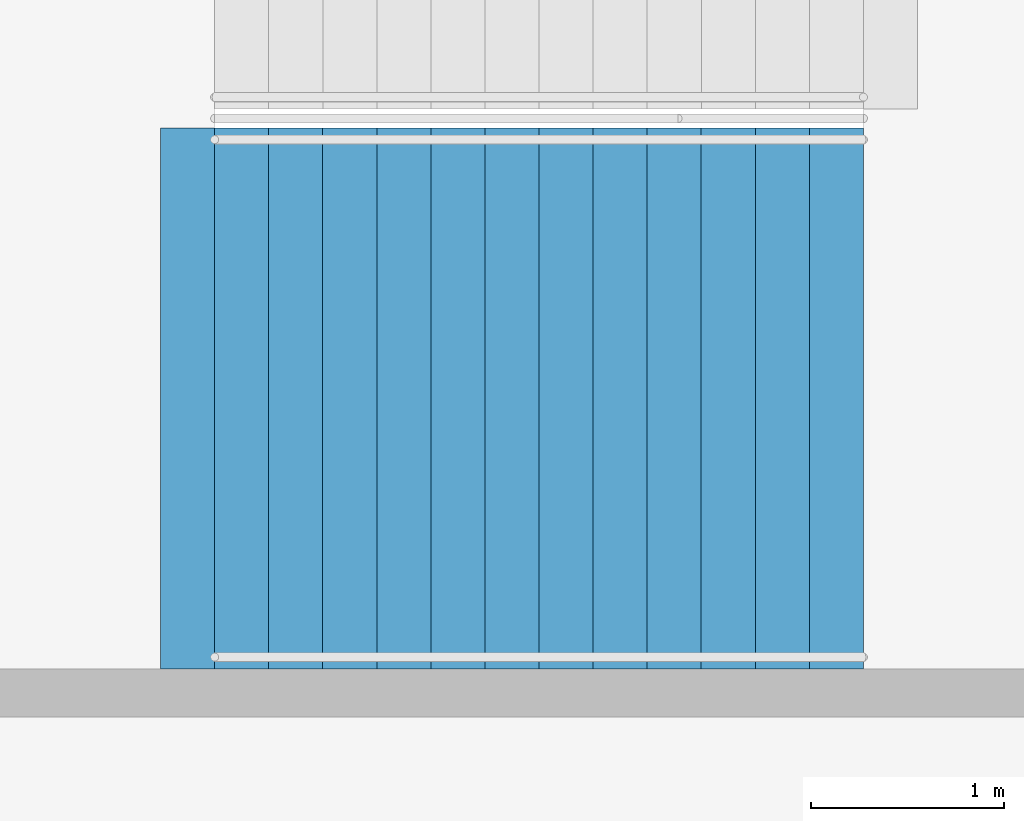
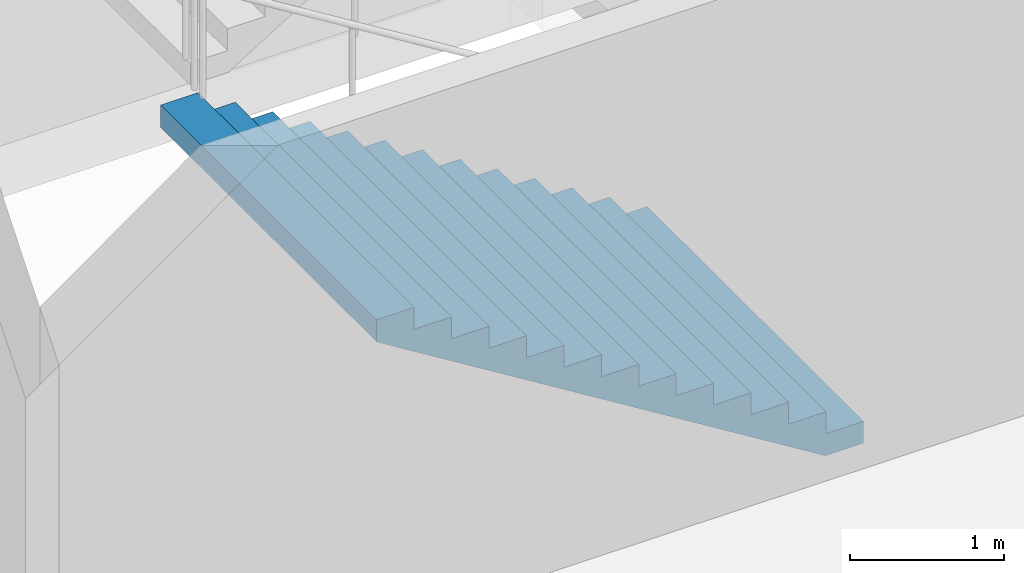
# One storey, part 55 of 175: 1 stair flight, 1 element without a shape of its own.
"""IFC4 building model written with IfcOpenShell, lengths in metres."""

from ifc_helpers import new_model, si_unit, direction, frame, origin, place, context, subcontext, project, spatial, faceted_brep, material, type_object, element, aggregate, save


model = new_model("IFC4")

# Units and contexts
model_context = context("Model", 3, precision=1e-05, world=origin(), true_north=direction((0.0, 1.0)))
body_context = subcontext(model_context, "Body", "Model", "MODEL_VIEW")
ifc_project = project(units=[si_unit("LENGTHUNIT", "METRE"), si_unit("AREAUNIT", "SQUARE_METRE"), si_unit("VOLUMEUNIT", "CUBIC_METRE"), si_unit("PLANEANGLEUNIT", "RADIAN"), si_unit("MASSUNIT", "GRAM", prefix="KILO")], contexts=[model_context])

# Site, building, storey
site_placement = place(None, origin())
site = spatial("IfcSite", under=ifc_project, at=site_placement, CompositionType="ELEMENT")
building_placement = place(site_placement, origin())
building = spatial("IfcBuilding", under=site, at=building_placement, Name="Ogive Plaza Stadium", CompositionType="ELEMENT")
storey_placement = place(building_placement, origin())
storey = spatial("IfcBuildingStorey", under=building, at=storey_placement, Name="L00", CompositionType="ELEMENT", Elevation=0.0)

# Stair, stair flight
ifc_material_1 = material(Name="Concrete C40/50", Category="concrete")
stair_type = type_object("IfcStairType", Name="Exit stair", PredefinedType="STRAIGHT_RUN_STAIR", material=ifc_material_1)
stair_placement = place(storey_placement, origin())
stair = element("IfcStair", 1, at=stair_placement, inside=storey, type_object=stair_type, Name="Exit stair ST22B L00 to L01", PredefinedType="STRAIGHT_RUN_STAIR")
ifc_material_2 = material(Name="Concrete C40/50", Category="concrete")
stair_flight_type = type_object("IfcStairFlightType", Name="Exit stair flight", PredefinedType="STRAIGHT", material=ifc_material_2)
stair_flight_placement = place(storey_placement, frame((-76.35009765625, -41.925048828125, 0.0), z_axis=(0.0, 0.0, 1.0), x_axis=(-1.0, 0.0, 0.0)))
stair_flight = element("IfcStairFlight", 2, at=stair_flight_placement, type_object=stair_flight_type, Name="ST22B flight 1", NumberOfRisers=13, NumberOfTreads=12, PredefinedType="STRAIGHT", RiserHeight=0.173076923, TreadLength=0.28, context=body_context, shape_type="Brep", body=[
    faceted_brep([(0.28515625, -1.39990234375, 0.0), (3.639892578125, -1.39990234375, 2.07373046875), (3.639892578125, -1.39990234375, 2.25), (3.360107421875, -1.39990234375, 2.25), (3.360107421875, -1.39990234375, 2.076904296875), (3.080078125, -1.39990234375, 2.076904296875), (3.080078125, -1.39990234375, 1.90380859375), (2.800048828125, -1.39990234375, 1.90380859375), (2.800048828125, -1.39990234375, 1.730712890625), (2.52001953125, -1.39990234375, 1.730712890625), (2.52001953125, -1.39990234375, 1.5576171875), (2.239990234375, -1.39990234375, 1.5576171875), (2.239990234375, -1.39990234375, 1.384521484375), (1.9599609375, -1.39990234375, 1.384521484375), (1.9599609375, -1.39990234375, 1.21142578125), (1.679931640625, -1.39990234375, 1.21142578125), (1.679931640625, -1.39990234375, 1.03857421875), (1.39990234375, -1.39990234375, 1.03857421875), (1.39990234375, -1.39990234375, 0.865478515625), (1.1201171875, -1.39990234375, 0.865478515625), (1.1201171875, -1.39990234375, 0.6923828125), (0.840087890625, -1.39990234375, 0.6923828125), (0.840087890625, -1.39990234375, 0.519287109375), (0.56005859375, -1.39990234375, 0.519287109375), (0.56005859375, -1.39990234375, 0.34619140625), (0.280029296875, -1.39990234375, 0.34619140625), (0.280029296875, -1.39990234375, 0.173095703125), (0.0, -1.39990234375, 0.173095703125), (0.0, -1.39990234375, 0.0), (0.0, 1.39990234375, 0.0), (0.0, 1.39990234375, 0.173095703125), (0.280029296875, 1.39990234375, 0.173095703125), (0.280029296875, 1.39990234375, 0.34619140625), (0.56005859375, 1.39990234375, 0.34619140625), (0.56005859375, 1.39990234375, 0.519287109375), (0.840087890625, 1.39990234375, 0.519287109375), (0.840087890625, 1.39990234375, 0.6923828125), (1.1201171875, 1.39990234375, 0.6923828125), (1.1201171875, 1.39990234375, 0.865478515625), (1.39990234375, 1.39990234375, 0.865478515625), (1.39990234375, 1.39990234375, 1.03857421875), (1.679931640625, 1.39990234375, 1.03857421875), (1.679931640625, 1.39990234375, 1.21142578125), (1.9599609375, 1.39990234375, 1.21142578125), (1.9599609375, 1.39990234375, 1.384521484375), (2.239990234375, 1.39990234375, 1.384521484375), (2.239990234375, 1.39990234375, 1.5576171875), (2.52001953125, 1.39990234375, 1.5576171875), (2.52001953125, 1.39990234375, 1.730712890625), (2.800048828125, 1.39990234375, 1.730712890625), (2.800048828125, 1.39990234375, 1.90380859375), (3.080078125, 1.39990234375, 1.90380859375), (3.080078125, 1.39990234375, 2.076904296875), (3.360107421875, 1.39990234375, 2.076904296875), (3.360107421875, 1.39990234375, 2.25), (3.639892578125, 1.39990234375, 2.25), (3.639892578125, 1.39990234375, 2.07373046875), (0.28515625, 1.39990234375, 0.0), (0.28515625, -1.0888671875, 0.0), (3.639892578125, -1.0888671875, 2.07373046875), (0.28515625, -0.77783203125, 0.0), (3.639892578125, -0.77783203125, 2.07373046875), (0.28515625, -0.466796875, 0.0), (3.639892578125, -0.466796875, 2.07373046875), (0.28515625, -0.155517578125, 0.0), (3.639892578125, -0.155517578125, 2.07373046875), (0.28515625, 0.155517578125, 0.0), (3.639892578125, 0.155517578125, 2.07373046875), (0.28515625, 0.466796875, 0.0), (3.639892578125, 0.466796875, 2.07373046875), (0.28515625, 0.77783203125, 0.0), (3.639892578125, 0.77783203125, 2.07373046875), (0.28515625, 1.0888671875, 0.0), (3.639892578125, 1.0888671875, 2.07373046875), (3.639892578125, -1.0888671875, 2.25), (3.639892578125, -0.77783203125, 2.25), (3.639892578125, -0.466796875, 2.25), (3.639892578125, -0.155517578125, 2.25), (3.639892578125, 0.155517578125, 2.25), (3.639892578125, 0.466796875, 2.25), (3.639892578125, 0.77783203125, 2.25), (3.639892578125, 1.0888671875, 2.25), (3.360107421875, -1.0888671875, 2.25), (3.360107421875, -0.77783203125, 2.25), (3.360107421875, -0.466796875, 2.25), (3.360107421875, -0.155517578125, 2.25), (3.360107421875, 0.155517578125, 2.25), (3.360107421875, 0.466796875, 2.25), (3.360107421875, 0.77783203125, 2.25), (3.360107421875, 1.0888671875, 2.25), (3.360107421875, -1.0888671875, 2.076904296875), (3.360107421875, -0.77783203125, 2.076904296875), (3.360107421875, -0.466796875, 2.076904296875), (3.360107421875, -0.155517578125, 2.076904296875), (3.360107421875, 0.155517578125, 2.076904296875), (3.360107421875, 0.466796875, 2.076904296875), (3.360107421875, 0.77783203125, 2.076904296875), (3.360107421875, 1.0888671875, 2.076904296875), (3.080078125, -1.0888671875, 2.076904296875), (3.080078125, -0.77783203125, 2.076904296875), (3.080078125, -0.466796875, 2.076904296875), (3.080078125, -0.155517578125, 2.076904296875), (3.080078125, 0.155517578125, 2.076904296875), (3.080078125, 0.466796875, 2.076904296875), (3.080078125, 0.77783203125, 2.076904296875), (3.080078125, 1.0888671875, 2.076904296875), (3.080078125, -1.0888671875, 1.90380859375), (3.080078125, -0.77783203125, 1.90380859375), (3.080078125, -0.466796875, 1.90380859375), (3.080078125, -0.155517578125, 1.90380859375), (3.080078125, 0.155517578125, 1.90380859375), (3.080078125, 0.466796875, 1.90380859375), (3.080078125, 0.77783203125, 1.90380859375), (3.080078125, 1.0888671875, 1.90380859375), (2.800048828125, -1.0888671875, 1.90380859375), (2.800048828125, -0.77783203125, 1.90380859375), (2.800048828125, -0.466796875, 1.90380859375), (2.800048828125, -0.155517578125, 1.90380859375), (2.800048828125, 0.155517578125, 1.90380859375), (2.800048828125, 0.466796875, 1.90380859375), (2.800048828125, 0.77783203125, 1.90380859375), (2.800048828125, 1.0888671875, 1.90380859375), (2.800048828125, -1.0888671875, 1.730712890625), (2.800048828125, -0.77783203125, 1.730712890625), (2.800048828125, -0.466796875, 1.730712890625), (2.800048828125, -0.155517578125, 1.730712890625), (2.800048828125, 0.155517578125, 1.730712890625), (2.800048828125, 0.466796875, 1.730712890625), (2.800048828125, 0.77783203125, 1.730712890625), (2.800048828125, 1.0888671875, 1.730712890625), (2.52001953125, -1.0888671875, 1.730712890625), (2.52001953125, -0.77783203125, 1.730712890625), (2.52001953125, -0.466796875, 1.730712890625), (2.52001953125, -0.155517578125, 1.730712890625), (2.52001953125, 0.155517578125, 1.730712890625), (2.52001953125, 0.466796875, 1.730712890625), (2.52001953125, 0.77783203125, 1.730712890625), (2.52001953125, 1.0888671875, 1.730712890625), (2.52001953125, -1.0888671875, 1.5576171875), (2.52001953125, -0.77783203125, 1.5576171875), (2.52001953125, -0.466796875, 1.5576171875), (2.52001953125, -0.155517578125, 1.5576171875), (2.52001953125, 0.155517578125, 1.5576171875), (2.52001953125, 0.466796875, 1.5576171875), (2.52001953125, 0.77783203125, 1.5576171875), (2.52001953125, 1.0888671875, 1.5576171875), (2.239990234375, -1.0888671875, 1.5576171875), (2.239990234375, -0.77783203125, 1.5576171875), (2.239990234375, -0.466796875, 1.5576171875), (2.239990234375, -0.155517578125, 1.5576171875), (2.239990234375, 0.155517578125, 1.5576171875), (2.239990234375, 0.466796875, 1.5576171875), (2.239990234375, 0.77783203125, 1.5576171875), (2.239990234375, 1.0888671875, 1.5576171875), (2.239990234375, -1.0888671875, 1.384521484375), (2.239990234375, -0.77783203125, 1.384521484375), (2.239990234375, -0.466796875, 1.384521484375), (2.239990234375, -0.155517578125, 1.384521484375), (2.239990234375, 0.155517578125, 1.384521484375), (2.239990234375, 0.466796875, 1.384521484375), (2.239990234375, 0.77783203125, 1.384521484375), (2.239990234375, 1.0888671875, 1.384521484375), (1.9599609375, -1.0888671875, 1.384521484375), (1.9599609375, -0.77783203125, 1.384521484375), (1.9599609375, -0.466796875, 1.384521484375), (1.9599609375, -0.155517578125, 1.384521484375), (1.9599609375, 0.155517578125, 1.384521484375), (1.9599609375, 0.466796875, 1.384521484375), (1.9599609375, 0.77783203125, 1.384521484375), (1.9599609375, 1.0888671875, 1.384521484375), (1.9599609375, -1.0888671875, 1.21142578125), (1.9599609375, -0.77783203125, 1.21142578125), (1.9599609375, -0.466796875, 1.21142578125), (1.9599609375, -0.155517578125, 1.21142578125), (1.9599609375, 0.155517578125, 1.21142578125), (1.9599609375, 0.466796875, 1.21142578125), (1.9599609375, 0.77783203125, 1.21142578125), (1.9599609375, 1.0888671875, 1.21142578125), (1.679931640625, -1.0888671875, 1.21142578125), (1.679931640625, -0.77783203125, 1.21142578125), (1.679931640625, -0.466796875, 1.21142578125), (1.679931640625, -0.155517578125, 1.21142578125), (1.679931640625, 0.155517578125, 1.21142578125), (1.679931640625, 0.466796875, 1.21142578125), (1.679931640625, 0.77783203125, 1.21142578125), (1.679931640625, 1.0888671875, 1.21142578125), (1.679931640625, -1.0888671875, 1.03857421875), (1.679931640625, -0.77783203125, 1.03857421875), (1.679931640625, -0.466796875, 1.03857421875), (1.679931640625, -0.155517578125, 1.03857421875), (1.679931640625, 0.155517578125, 1.03857421875), (1.679931640625, 0.466796875, 1.03857421875), (1.679931640625, 0.77783203125, 1.03857421875), (1.679931640625, 1.0888671875, 1.03857421875), (1.39990234375, -1.0888671875, 1.03857421875), (1.39990234375, -0.77783203125, 1.03857421875), (1.39990234375, -0.466796875, 1.03857421875), (1.39990234375, -0.155517578125, 1.03857421875), (1.39990234375, 0.155517578125, 1.03857421875), (1.39990234375, 0.466796875, 1.03857421875), (1.39990234375, 0.77783203125, 1.03857421875), (1.39990234375, 1.0888671875, 1.03857421875), (1.39990234375, -1.0888671875, 0.865478515625), (1.39990234375, -0.77783203125, 0.865478515625), (1.39990234375, -0.466796875, 0.865478515625), (1.39990234375, -0.155517578125, 0.865478515625), (1.39990234375, 0.155517578125, 0.865478515625), (1.39990234375, 0.466796875, 0.865478515625), (1.39990234375, 0.77783203125, 0.865478515625), (1.39990234375, 1.0888671875, 0.865478515625), (1.1201171875, -1.0888671875, 0.865478515625), (1.1201171875, -0.77783203125, 0.865478515625), (1.1201171875, -0.466796875, 0.865478515625), (1.1201171875, -0.155517578125, 0.865478515625), (1.1201171875, 0.155517578125, 0.865478515625), (1.1201171875, 0.466796875, 0.865478515625), (1.1201171875, 0.77783203125, 0.865478515625), (1.1201171875, 1.0888671875, 0.865478515625), (1.1201171875, -1.0888671875, 0.6923828125), (1.1201171875, -0.77783203125, 0.6923828125), (1.1201171875, -0.466796875, 0.6923828125), (1.1201171875, -0.155517578125, 0.6923828125), (1.1201171875, 0.155517578125, 0.6923828125), (1.1201171875, 0.466796875, 0.6923828125), (1.1201171875, 0.77783203125, 0.6923828125), (1.1201171875, 1.0888671875, 0.6923828125), (0.840087890625, -1.0888671875, 0.6923828125), (0.840087890625, -0.77783203125, 0.6923828125), (0.840087890625, -0.466796875, 0.6923828125), (0.840087890625, -0.155517578125, 0.6923828125), (0.840087890625, 0.155517578125, 0.6923828125), (0.840087890625, 0.466796875, 0.6923828125), (0.840087890625, 0.77783203125, 0.6923828125), (0.840087890625, 1.0888671875, 0.6923828125), (0.840087890625, -1.0888671875, 0.519287109375), (0.840087890625, -0.77783203125, 0.519287109375), (0.840087890625, -0.466796875, 0.519287109375), (0.840087890625, -0.155517578125, 0.519287109375), (0.840087890625, 0.155517578125, 0.519287109375), (0.840087890625, 0.466796875, 0.519287109375), (0.840087890625, 0.77783203125, 0.519287109375), (0.840087890625, 1.0888671875, 0.519287109375), (0.56005859375, -1.0888671875, 0.519287109375), (0.56005859375, -0.77783203125, 0.519287109375), (0.56005859375, -0.466796875, 0.519287109375), (0.56005859375, -0.155517578125, 0.519287109375), (0.56005859375, 0.155517578125, 0.519287109375), (0.56005859375, 0.466796875, 0.519287109375), (0.56005859375, 0.77783203125, 0.519287109375), (0.56005859375, 1.0888671875, 0.519287109375), (0.56005859375, -1.0888671875, 0.34619140625), (0.56005859375, -0.77783203125, 0.34619140625), (0.56005859375, -0.466796875, 0.34619140625), (0.56005859375, -0.155517578125, 0.34619140625), (0.56005859375, 0.155517578125, 0.34619140625), (0.56005859375, 0.466796875, 0.34619140625), (0.56005859375, 0.77783203125, 0.34619140625), (0.56005859375, 1.0888671875, 0.34619140625), (0.280029296875, -1.0888671875, 0.34619140625), (0.280029296875, -0.77783203125, 0.34619140625), (0.280029296875, -0.466796875, 0.34619140625), (0.280029296875, -0.155517578125, 0.34619140625), (0.280029296875, 0.155517578125, 0.34619140625), (0.280029296875, 0.466796875, 0.34619140625), (0.280029296875, 0.77783203125, 0.34619140625), (0.280029296875, 1.0888671875, 0.34619140625), (0.280029296875, -1.0888671875, 0.173095703125), (0.280029296875, -0.77783203125, 0.173095703125), (0.280029296875, -0.466796875, 0.173095703125), (0.280029296875, -0.155517578125, 0.173095703125), (0.280029296875, 0.155517578125, 0.173095703125), (0.280029296875, 0.466796875, 0.173095703125), (0.280029296875, 0.77783203125, 0.173095703125), (0.280029296875, 1.0888671875, 0.173095703125), (0.0, -1.0888671875, 0.173095703125), (0.0, -0.77783203125, 0.173095703125), (0.0, -0.466796875, 0.173095703125), (0.0, -0.155517578125, 0.173095703125), (0.0, 0.155517578125, 0.173095703125), (0.0, 0.466796875, 0.173095703125), (0.0, 0.77783203125, 0.173095703125), (0.0, 1.0888671875, 0.173095703125), (0.0, -1.0888671875, 0.0), (0.0, -0.77783203125, 0.0), (0.0, -0.466796875, 0.0), (0.0, -0.155517578125, 0.0), (0.0, 0.155517578125, 0.0), (0.0, 0.466796875, 0.0), (0.0, 0.77783203125, 0.0), (0.0, 1.0888671875, 0.0)], [[[0, 1, 2, 3, 4, 5, 6, 7, 8, 9, 10, 11, 12, 13, 14, 15, 16, 17, 18, 19, 20, 21, 22, 23, 24, 25, 26, 27, 28]], [[29, 30, 31, 32, 33, 34, 35, 36, 37, 38, 39, 40, 41, 42, 43, 44, 45, 46, 47, 48, 49, 50, 51, 52, 53, 54, 55, 56, 57]], [[0, 58, 59, 1]], [[58, 60, 61, 59]], [[60, 62, 63, 61]], [[62, 64, 65, 63]], [[64, 66, 67, 65]], [[66, 68, 69, 67]], [[68, 70, 71, 69]], [[70, 72, 73, 71]], [[72, 57, 56, 73]], [[1, 59, 74, 2]], [[59, 61, 75, 74]], [[61, 63, 76, 75]], [[63, 65, 77, 76]], [[65, 67, 78, 77]], [[67, 69, 79, 78]], [[69, 71, 80, 79]], [[71, 73, 81, 80]], [[73, 56, 55, 81]], [[2, 74, 82, 3]], [[74, 75, 83, 82]], [[75, 76, 84, 83]], [[76, 77, 85, 84]], [[77, 78, 86, 85]], [[78, 79, 87, 86]], [[79, 80, 88, 87]], [[80, 81, 89, 88]], [[81, 55, 54, 89]], [[3, 82, 90, 4]], [[82, 83, 91, 90]], [[83, 84, 92, 91]], [[84, 85, 93, 92]], [[85, 86, 94, 93]], [[86, 87, 95, 94]], [[87, 88, 96, 95]], [[88, 89, 97, 96]], [[89, 54, 53, 97]], [[4, 90, 98, 5]], [[90, 91, 99, 98]], [[91, 92, 100, 99]], [[92, 93, 101, 100]], [[93, 94, 102, 101]], [[94, 95, 103, 102]], [[95, 96, 104, 103]], [[96, 97, 105, 104]], [[97, 53, 52, 105]], [[5, 98, 106, 6]], [[98, 99, 107, 106]], [[99, 100, 108, 107]], [[100, 101, 109, 108]], [[101, 102, 110, 109]], [[102, 103, 111, 110]], [[103, 104, 112, 111]], [[104, 105, 113, 112]], [[105, 52, 51, 113]], [[6, 106, 114, 7]], [[106, 107, 115, 114]], [[107, 108, 116, 115]], [[108, 109, 117, 116]], [[109, 110, 118, 117]], [[110, 111, 119, 118]], [[111, 112, 120, 119]], [[112, 113, 121, 120]], [[113, 51, 50, 121]], [[7, 114, 122, 8]], [[114, 115, 123, 122]], [[115, 116, 124, 123]], [[116, 117, 125, 124]], [[117, 118, 126, 125]], [[118, 119, 127, 126]], [[119, 120, 128, 127]], [[120, 121, 129, 128]], [[121, 50, 49, 129]], [[8, 122, 130, 9]], [[122, 123, 131, 130]], [[123, 124, 132, 131]], [[124, 125, 133, 132]], [[125, 126, 134, 133]], [[126, 127, 135, 134]], [[127, 128, 136, 135]], [[128, 129, 137, 136]], [[129, 49, 48, 137]], [[9, 130, 138, 10]], [[130, 131, 139, 138]], [[131, 132, 140, 139]], [[132, 133, 141, 140]], [[133, 134, 142, 141]], [[134, 135, 143, 142]], [[135, 136, 144, 143]], [[136, 137, 145, 144]], [[137, 48, 47, 145]], [[10, 138, 146, 11]], [[138, 139, 147, 146]], [[139, 140, 148, 147]], [[140, 141, 149, 148]], [[141, 142, 150, 149]], [[142, 143, 151, 150]], [[143, 144, 152, 151]], [[144, 145, 153, 152]], [[145, 47, 46, 153]], [[11, 146, 154, 12]], [[146, 147, 155, 154]], [[147, 148, 156, 155]], [[148, 149, 157, 156]], [[149, 150, 158, 157]], [[150, 151, 159, 158]], [[151, 152, 160, 159]], [[152, 153, 161, 160]], [[153, 46, 45, 161]], [[12, 154, 162, 13]], [[154, 155, 163, 162]], [[155, 156, 164, 163]], [[156, 157, 165, 164]], [[157, 158, 166, 165]], [[158, 159, 167, 166]], [[159, 160, 168, 167]], [[160, 161, 169, 168]], [[161, 45, 44, 169]], [[13, 162, 170, 14]], [[162, 163, 171, 170]], [[163, 164, 172, 171]], [[164, 165, 173, 172]], [[165, 166, 174, 173]], [[166, 167, 175, 174]], [[167, 168, 176, 175]], [[168, 169, 177, 176]], [[169, 44, 43, 177]], [[14, 170, 178, 15]], [[170, 171, 179, 178]], [[171, 172, 180, 179]], [[172, 173, 181, 180]], [[173, 174, 182, 181]], [[174, 175, 183, 182]], [[175, 176, 184, 183]], [[176, 177, 185, 184]], [[177, 43, 42, 185]], [[15, 178, 186, 16]], [[178, 179, 187, 186]], [[179, 180, 188, 187]], [[180, 181, 189, 188]], [[181, 182, 190, 189]], [[182, 183, 191, 190]], [[183, 184, 192, 191]], [[184, 185, 193, 192]], [[185, 42, 41, 193]], [[16, 186, 194, 17]], [[186, 187, 195, 194]], [[187, 188, 196, 195]], [[188, 189, 197, 196]], [[189, 190, 198, 197]], [[190, 191, 199, 198]], [[191, 192, 200, 199]], [[192, 193, 201, 200]], [[193, 41, 40, 201]], [[17, 194, 202, 18]], [[194, 195, 203, 202]], [[195, 196, 204, 203]], [[196, 197, 205, 204]], [[197, 198, 206, 205]], [[198, 199, 207, 206]], [[199, 200, 208, 207]], [[200, 201, 209, 208]], [[201, 40, 39, 209]], [[18, 202, 210, 19]], [[202, 203, 211, 210]], [[203, 204, 212, 211]], [[204, 205, 213, 212]], [[205, 206, 214, 213]], [[206, 207, 215, 214]], [[207, 208, 216, 215]], [[208, 209, 217, 216]], [[209, 39, 38, 217]], [[19, 210, 218, 20]], [[210, 211, 219, 218]], [[211, 212, 220, 219]], [[212, 213, 221, 220]], [[213, 214, 222, 221]], [[214, 215, 223, 222]], [[215, 216, 224, 223]], [[216, 217, 225, 224]], [[217, 38, 37, 225]], [[20, 218, 226, 21]], [[218, 219, 227, 226]], [[219, 220, 228, 227]], [[220, 221, 229, 228]], [[221, 222, 230, 229]], [[222, 223, 231, 230]], [[223, 224, 232, 231]], [[224, 225, 233, 232]], [[225, 37, 36, 233]], [[21, 226, 234, 22]], [[226, 227, 235, 234]], [[227, 228, 236, 235]], [[228, 229, 237, 236]], [[229, 230, 238, 237]], [[230, 231, 239, 238]], [[231, 232, 240, 239]], [[232, 233, 241, 240]], [[233, 36, 35, 241]], [[22, 234, 242, 23]], [[234, 235, 243, 242]], [[235, 236, 244, 243]], [[236, 237, 245, 244]], [[237, 238, 246, 245]], [[238, 239, 247, 246]], [[239, 240, 248, 247]], [[240, 241, 249, 248]], [[241, 35, 34, 249]], [[23, 242, 250, 24]], [[242, 243, 251, 250]], [[243, 244, 252, 251]], [[244, 245, 253, 252]], [[245, 246, 254, 253]], [[246, 247, 255, 254]], [[247, 248, 256, 255]], [[248, 249, 257, 256]], [[249, 34, 33, 257]], [[24, 250, 258, 25]], [[250, 251, 259, 258]], [[251, 252, 260, 259]], [[252, 253, 261, 260]], [[253, 254, 262, 261]], [[254, 255, 263, 262]], [[255, 256, 264, 263]], [[256, 257, 265, 264]], [[257, 33, 32, 265]], [[25, 258, 266, 26]], [[258, 259, 267, 266]], [[259, 260, 268, 267]], [[260, 261, 269, 268]], [[261, 262, 270, 269]], [[262, 263, 271, 270]], [[263, 264, 272, 271]], [[264, 265, 273, 272]], [[265, 32, 31, 273]], [[26, 266, 274, 27]], [[266, 267, 275, 274]], [[267, 268, 276, 275]], [[268, 269, 277, 276]], [[269, 270, 278, 277]], [[270, 271, 279, 278]], [[271, 272, 280, 279]], [[272, 273, 281, 280]], [[273, 31, 30, 281]], [[27, 274, 282, 28]], [[274, 275, 283, 282]], [[275, 276, 284, 283]], [[276, 277, 285, 284]], [[277, 278, 286, 285]], [[278, 279, 287, 286]], [[279, 280, 288, 287]], [[280, 281, 289, 288]], [[281, 30, 29, 289]], [[28, 282, 58, 0]], [[282, 283, 60, 58]], [[283, 284, 62, 60]], [[284, 285, 64, 62]], [[285, 286, 66, 64]], [[286, 287, 68, 66]], [[287, 288, 70, 68]], [[288, 289, 72, 70]], [[289, 29, 57, 72]]]),
])
aggregate(stair, [stair_flight])

save(model, "model.ifc")
